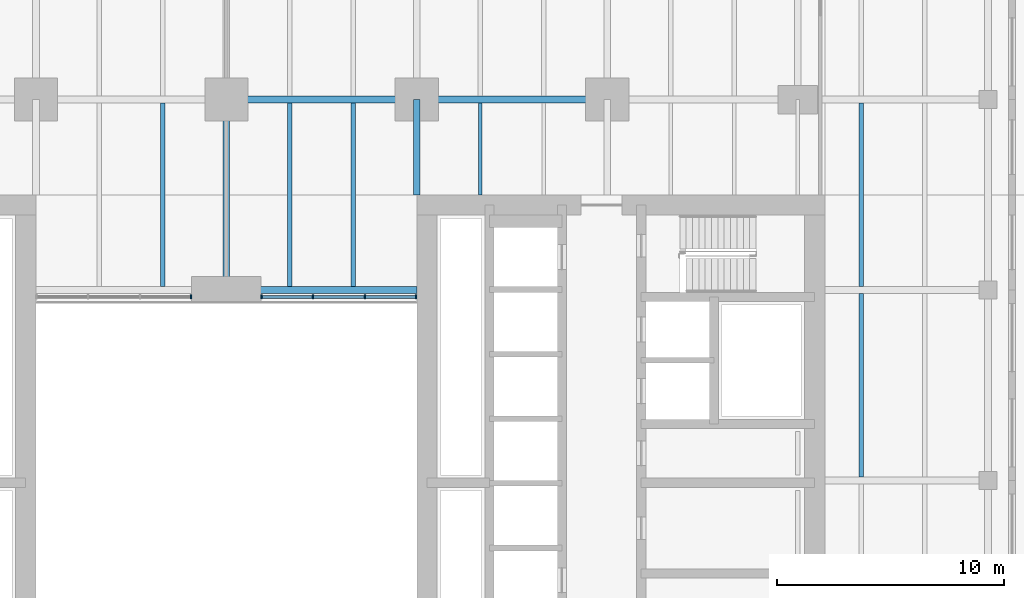
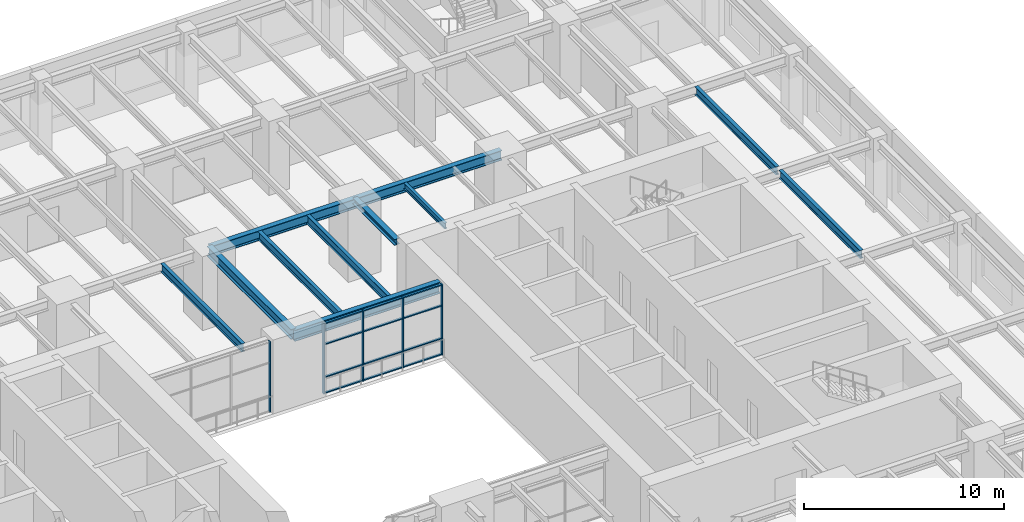
# One storey, part 10 of 30: 17 members, 11 beams, 2 elements without a shape of their own.
"""IFC4 building model written with IfcOpenShell, lengths in metres."""

from ifc_helpers import new_model, si_unit, direction, frame, origin, origin_2d, place, context, subcontext, project, spatial, rectangle, i_section, extrude, material, material_profile, profile_set, type_object, element, aggregate, save


model = new_model("IFC4")

# Units and contexts
model_context = context("Model", 3, precision=1e-05, world=origin(), true_north=direction((0.0, 1.0)))
body_context = subcontext(model_context, "Body", "Model", "MODEL_VIEW")
ifc_project = project(units=[si_unit("LENGTHUNIT", "METRE"), si_unit("AREAUNIT", "SQUARE_METRE"), si_unit("VOLUMEUNIT", "CUBIC_METRE"), si_unit("PLANEANGLEUNIT", "RADIAN"), si_unit("MASSUNIT", "GRAM", prefix="KILO")], contexts=[model_context])

# Site, building, storey
site_placement = place(None, origin())
site = spatial("IfcSite", under=ifc_project, at=site_placement, CompositionType="ELEMENT")
building_placement = place(site_placement, origin())
building = spatial("IfcBuilding", under=site, at=building_placement, Name="Claustro Exchange Tower", CompositionType="ELEMENT")
storey_placement = place(building_placement, frame((0.0, 0.0, 5.39990234375)))
storey = spatial("IfcBuildingStorey", under=building, at=storey_placement, Name="L01", CompositionType="ELEMENT", Elevation=5.39990234375)

# Beams
ifc_material_1 = material(Name="Steel S355", Category="steel")
ifc_material_profile_1 = material_profile(ifc_material_1, i_section(OverallWidth=0.300048828125, OverallDepth=0.60009765625, WebThickness=0.015380859375, FlangeThickness=0.030029296875, FilletRadius=0.027099609375, at=origin_2d()), Name="HE 600 B")
ifc_profile_set_1 = profile_set([ifc_material_profile_1], Name="Steel S355")
beam_type_1 = type_object("IfcBeamType", Name="B1 HE 600 B floor girder", PredefinedType="BEAM", material=ifc_profile_set_1)
beam_1_placement = place(storey_placement, frame((25.199951171875, 33.60009765625, 4.0), z_axis=(0.0, 1.0, 0.0), x_axis=(-1.0, 0.0, 0.0)))
element("IfcBeam", 1, at=beam_1_placement, inside=storey, type_object=beam_type_1, Name="Beam B1 L02", PredefinedType="BEAM", context=body_context, shape_type="SweptSolid", body=[
    extrude(i_section(OverallWidth=0.300048828125, OverallDepth=0.60009765625, WebThickness=0.015380859375, FlangeThickness=0.030029296875, FilletRadius=0.027099609375, at=origin_2d()), origin(), (0.0, 0.0, 1.0), 8.39990234375),
])
beam_2_placement = place(storey_placement, frame((25.199951171875, 42.0, 4.0), z_axis=(1.0, 0.0, 0.0), x_axis=(0.0, 1.0, 0.0)))
element("IfcBeam", 2, at=beam_2_placement, inside=storey, type_object=beam_type_1, Name="Beam B1 L02", PredefinedType="BEAM", context=body_context, shape_type="SweptSolid", body=[
    extrude(i_section(OverallWidth=0.300048828125, OverallDepth=0.60009765625, WebThickness=0.015380859375, FlangeThickness=0.030029296875, FilletRadius=0.027099609375, at=origin_2d()), origin(), (0.0, 0.0, 1.0), 8.400146484375),
])
beam_3_placement = place(storey_placement, frame((33.60009765625, 42.0, 4.0), z_axis=(1.0, 0.0, 0.0), x_axis=(0.0, 1.0, 0.0)))
element("IfcBeam", 3, at=beam_3_placement, inside=storey, type_object=beam_type_1, Name="Beam B1 L02", PredefinedType="BEAM", context=body_context, shape_type="SweptSolid", body=[
    extrude(i_section(OverallWidth=0.300048828125, OverallDepth=0.60009765625, WebThickness=0.015380859375, FlangeThickness=0.030029296875, FilletRadius=0.027099609375, at=origin_2d()), origin(), (0.0, 0.0, 1.0), 8.39990234375),
])
ifc_material_2 = material(Name="Steel S355", Category="steel")
ifc_material_profile_2 = material_profile(ifc_material_2, i_section(OverallWidth=0.300048828125, OverallDepth=0.68994140625, WebThickness=0.014404296875, FlangeThickness=0.027099609375, FilletRadius=0.027099609375, at=origin_2d()), Name="HE 700 A")
ifc_profile_set_2 = profile_set([ifc_material_profile_2], Name="Steel S355")
beam_type_2 = type_object("IfcBeamType", Name="B13 HE 700 A light well edge girder", PredefinedType="BEAM", material=ifc_profile_set_2)
beam_4_placement = place(storey_placement, frame((25.199951171875, 33.60009765625, 3.955078125), z_axis=(1.0, 0.0, 0.0), x_axis=(0.0, 1.0, 0.0)))
element("IfcBeam", 4, at=beam_4_placement, inside=storey, type_object=beam_type_2, Name="Beam B13 L02", PredefinedType="BEAM", context=body_context, shape_type="SweptSolid", body=[
    extrude(i_section(OverallWidth=0.300048828125, OverallDepth=0.68994140625, WebThickness=0.014404296875, FlangeThickness=0.027099609375, FilletRadius=0.027099609375, at=origin_2d()), origin(), (0.0, 0.0, 1.0), 8.400146484375),
])
ifc_material_3 = material(Name="Steel S355", Category="steel")
ifc_material_profile_3 = material_profile(ifc_material_3, i_section(OverallWidth=0.169921875, OverallDepth=0.360107421875, WebThickness=0.008056640625, FlangeThickness=0.0126953125, FilletRadius=0.01806640625, at=origin_2d()), Name="IPE 360")
ifc_profile_set_3 = profile_set([ifc_material_profile_3], Name="Steel S355")
beam_type_3 = type_object("IfcBeamType", Name="B16 IPE 360 short-span beam", PredefinedType="BEAM", material=ifc_profile_set_3)
beam_5_placement = place(storey_placement, frame((36.39990234375, 37.7900390625, 4.1201171875), z_axis=(0.0, 1.0, 0.0), x_axis=(-1.0, 0.0, 0.0)))
element("IfcBeam", 5, at=beam_5_placement, inside=storey, type_object=beam_type_3, Name="Beam B16 L02", PredefinedType="BEAM", context=body_context, shape_type="SweptSolid", body=[
    extrude(i_section(OverallWidth=0.169921875, OverallDepth=0.360107421875, WebThickness=0.008056640625, FlangeThickness=0.0126953125, FilletRadius=0.01806640625, at=origin_2d()), origin(), (0.0, 0.0, 1.0), 4.06005859375),
])
ifc_material_4 = material(Name="Steel S355", Category="steel")
ifc_material_profile_4 = material_profile(ifc_material_4, i_section(OverallWidth=0.199951171875, OverallDepth=0.5, WebThickness=0.01025390625, FlangeThickness=0.01611328125, FilletRadius=0.02099609375, at=origin_2d()), Name="IPE 500")
ifc_profile_set_4 = profile_set([ifc_material_profile_4], Name="Steel S355")
beam_type_4 = type_object("IfcBeamType", Name="B2 IPE 500 secondary beam", PredefinedType="BEAM", material=ifc_profile_set_4)
for number, where, z_axis, x_axis, name in (
    (6, (22.39990234375, 33.75, 4.050048828125), (0.0, 1.0, 0.0), (-1.0, 0.0, 0.0), "Beam B2 L02"),
    (7, (28.0, 33.75, 4.050048828125), (0.0, 1.0, 0.0), (-1.0, 0.0, 0.0), "Beam B2 L02"),
    (8, (30.800048828125, 33.75, 4.050048828125), (0.0, 1.0, 0.0), (-1.0, 0.0, 0.0), "Beam B2 L02"),
):
    element("IfcBeam", number, at=place(storey_placement, frame(where, z_axis=z_axis, x_axis=x_axis)), inside=storey, type_object=beam_type_4, Name=name, PredefinedType="BEAM", context=body_context, shape_type="SweptSolid", body=[
        extrude(i_section(OverallWidth=0.199951171875, OverallDepth=0.5, WebThickness=0.01025390625, FlangeThickness=0.01611328125, FilletRadius=0.02099609375, at=origin_2d()), origin(), (0.0, 0.0, 1.0), 8.10009765625),
    ])
beam_6_placement = place(storey_placement, frame((53.199951171875, 25.35009765625, 4.050048828125), z_axis=(0.0, 1.0, 0.0), x_axis=(-1.0, 0.0, 0.0)))
element("IfcBeam", 9, at=beam_6_placement, inside=storey, type_object=beam_type_4, Name="Beam B2 L02", PredefinedType="BEAM", context=body_context, shape_type="SweptSolid", body=[
    extrude(i_section(OverallWidth=0.199951171875, OverallDepth=0.5, WebThickness=0.01025390625, FlangeThickness=0.01611328125, FilletRadius=0.02099609375, at=origin_2d()), origin(), (0.0, 0.0, 1.0), 8.099853515625),
])
beam_7_placement = place(storey_placement, frame((53.199951171875, 33.75, 4.050048828125), z_axis=(0.0, 1.0, 0.0), x_axis=(-1.0, 0.0, 0.0)))
element("IfcBeam", 10, at=beam_7_placement, inside=storey, type_object=beam_type_4, Name="Beam B2 L02", PredefinedType="BEAM", context=body_context, shape_type="SweptSolid", body=[
    extrude(i_section(OverallWidth=0.199951171875, OverallDepth=0.5, WebThickness=0.01025390625, FlangeThickness=0.01611328125, FilletRadius=0.02099609375, at=origin_2d()), origin(), (0.0, 0.0, 1.0), 8.10009765625),
])
ifc_material_5 = material(Name="Steel S355", Category="steel")
ifc_material_profile_5 = material_profile(ifc_material_5, i_section(OverallWidth=0.300048828125, OverallDepth=0.360107421875, WebThickness=0.012451171875, FlangeThickness=0.0224609375, FilletRadius=0.027099609375, at=origin_2d()), Name="HE 360 B")
ifc_profile_set_5 = profile_set([ifc_material_profile_5], Name="Steel S355")
beam_type_5 = type_object("IfcBeamType", Name="B29 HE 360 B column to core link beam", PredefinedType="BEAM", material=ifc_profile_set_5)
beam_8_placement = place(storey_placement, frame((33.60009765625, 37.800048828125, 4.1201171875), z_axis=(0.0, 1.0, 0.0), x_axis=(-1.0, 0.0, 0.0)))
element("IfcBeam", 11, at=beam_8_placement, inside=storey, type_object=beam_type_5, Name="Beam B29 L02", PredefinedType="BEAM", context=body_context, shape_type="SweptSolid", body=[
    extrude(i_section(OverallWidth=0.300048828125, OverallDepth=0.360107421875, WebThickness=0.012451171875, FlangeThickness=0.0224609375, FilletRadius=0.027099609375, at=origin_2d()), origin(), (0.0, 0.0, 1.0), 4.199951171875),
])

# Curtain wall, member
ifc_material_6 = material(Name="Aluminium frame, clear double glazing", Category="aluminium")
curtain_wall_type = type_object("IfcCurtainWallType", Name="CW3 light well curtain wall", PredefinedType="USERDEFINED", material=ifc_material_6)
curtain_wall_1_placement = place(storey_placement, origin())
curtain_wall_1 = element("IfcCurtainWall", 12, at=curtain_wall_1_placement, inside=storey, type_object=curtain_wall_type, Name="Curtain wall CW3 L01", ObjectType="STICK CURTAIN WALL", PredefinedType="USERDEFINED")
ifc_material_7 = material(Name="Aluminium mullion", Category="aluminium")
ifc_material_profile_6 = material_profile(ifc_material_7, rectangle(XDim=0.179931640625, YDim=0.06494140625, at=origin_2d()), Name="CW3-M 65x180")
ifc_profile_set_6 = profile_set([ifc_material_profile_6], Name="Aluminium mullion")
member_type_1 = type_object("IfcMemberType", Name="CW3-M 65 x 180 mullion", PredefinedType="MULLION", material=ifc_profile_set_6)
member_1_placement = place(storey_placement, frame((23.642578125, 33.300048828125, 0.0), z_axis=(0.0, 0.0, 1.0), x_axis=(0.0, 1.0, 0.0)))
member_1 = element("IfcMember", 13, at=member_1_placement, type_object=member_type_1, Name="CW3 mullion 4", PredefinedType="MULLION", context=body_context, shape_type="SweptSolid", body=[
    extrude(rectangle(XDim=0.179931640625, YDim=0.06494140625, at=origin_2d()), origin(), (0.0, 0.0, 1.0), 4.300048828125),
])
aggregate(curtain_wall_1, [member_1])

# Curtain wall, members
curtain_wall_2_placement = place(storey_placement, origin())
curtain_wall_2 = element("IfcCurtainWall", 14, at=curtain_wall_2_placement, inside=storey, type_object=curtain_wall_type, Name="Curtain wall CW3 L01", ObjectType="STICK CURTAIN WALL", PredefinedType="USERDEFINED")
member_2_placement = place(storey_placement, frame((26.757568359375, 33.300048828125, 0.0), z_axis=(0.0, 0.0, 1.0), x_axis=(0.0, 1.0, 0.0)))
member_2 = element("IfcMember", 15, at=member_2_placement, type_object=member_type_1, Name="CW3 mullion 1", PredefinedType="MULLION", context=body_context, shape_type="SweptSolid", body=[
    extrude(rectangle(XDim=0.179931640625, YDim=0.06494140625, at=origin_2d()), origin(), (0.0, 0.0, 1.0), 4.300048828125),
])
member_3_placement = place(storey_placement, frame((29.0166015625, 33.300048828125, 0.0), z_axis=(0.0, 0.0, 1.0), x_axis=(0.0, 1.0, 0.0)))
member_3 = element("IfcMember", 16, at=member_3_placement, type_object=member_type_1, Name="CW3 mullion 2", PredefinedType="MULLION", context=body_context, shape_type="SweptSolid", body=[
    extrude(rectangle(XDim=0.179931640625, YDim=0.06494140625, at=origin_2d()), origin(), (0.0, 0.0, 1.0), 4.300048828125),
])
member_4_placement = place(storey_placement, frame((31.308349609375, 33.300048828125, 0.0), z_axis=(0.0, 0.0, 1.0), x_axis=(0.0, 1.0, 0.0)))
member_4 = element("IfcMember", 17, at=member_4_placement, type_object=member_type_1, Name="CW3 mullion 3", PredefinedType="MULLION", context=body_context, shape_type="SweptSolid", body=[
    extrude(rectangle(XDim=0.179931640625, YDim=0.06494140625, at=origin_2d()), origin(), (0.0, 0.0, 1.0), 4.300048828125),
])
member_5_placement = place(storey_placement, frame((33.5673828125, 33.300048828125, 0.0), z_axis=(0.0, 0.0, 1.0), x_axis=(0.0, 1.0, 0.0)))
member_5 = element("IfcMember", 18, at=member_5_placement, type_object=member_type_1, Name="CW3 mullion 4", PredefinedType="MULLION", context=body_context, shape_type="SweptSolid", body=[
    extrude(rectangle(XDim=0.179931640625, YDim=0.06494140625, at=origin_2d()), origin(), (0.0, 0.0, 1.0), 4.300048828125),
])
ifc_material_8 = material(Name="Aluminium transom", Category="aluminium")
ifc_material_profile_7 = material_profile(ifc_material_8, rectangle(XDim=0.1298828125, YDim=0.06494140625, at=origin_2d()), Name="CW3-T 65x130")
ifc_profile_set_7 = profile_set([ifc_material_profile_7], Name="Aluminium transom")
member_type_2 = type_object("IfcMemberType", Name="CW3-T 65 x 130 transom", PredefinedType="USERDEFINED", material=ifc_profile_set_7)
member_6_placement = place(storey_placement, frame((26.7900390625, 33.300048828125, 0.03271484375), z_axis=(1.0, 0.0, 0.0), x_axis=(0.0, 1.0, 0.0)))
member_6 = element("IfcMember", 19, at=member_6_placement, type_object=member_type_2, Name="CW3 transom 1.1", ObjectType="TRANSOM", PredefinedType="USERDEFINED", context=body_context, shape_type="SweptSolid", body=[
    extrude(rectangle(XDim=0.1298828125, YDim=0.06494140625, at=origin_2d()), origin(), (0.0, 0.0, 1.0), 2.194091796875),
])
member_7_placement = place(storey_placement, frame((26.7900390625, 33.300048828125, 1.0), z_axis=(1.0, 0.0, 0.0), x_axis=(0.0, 1.0, 0.0)))
member_7 = element("IfcMember", 20, at=member_7_placement, type_object=member_type_2, Name="CW3 transom 1.2", ObjectType="TRANSOM", PredefinedType="USERDEFINED", context=body_context, shape_type="SweptSolid", body=[
    extrude(rectangle(XDim=0.1298828125, YDim=0.06494140625, at=origin_2d()), origin(), (0.0, 0.0, 1.0), 2.194091796875),
])
member_8_placement = place(storey_placement, frame((26.7900390625, 33.300048828125, 3.0), z_axis=(1.0, 0.0, 0.0), x_axis=(0.0, 1.0, 0.0)))
member_8 = element("IfcMember", 21, at=member_8_placement, type_object=member_type_2, Name="CW3 transom 1.3", ObjectType="TRANSOM", PredefinedType="USERDEFINED", context=body_context, shape_type="SweptSolid", body=[
    extrude(rectangle(XDim=0.1298828125, YDim=0.06494140625, at=origin_2d()), origin(), (0.0, 0.0, 1.0), 2.194091796875),
])
member_9_placement = place(storey_placement, frame((26.7900390625, 33.300048828125, 4.267578125), z_axis=(1.0, 0.0, 0.0), x_axis=(0.0, 1.0, 0.0)))
member_9 = element("IfcMember", 22, at=member_9_placement, type_object=member_type_2, Name="CW3 transom 1.4", ObjectType="TRANSOM", PredefinedType="USERDEFINED", context=body_context, shape_type="SweptSolid", body=[
    extrude(rectangle(XDim=0.1298828125, YDim=0.06494140625, at=origin_2d()), origin(), (0.0, 0.0, 1.0), 2.194091796875),
])
member_10_placement = place(storey_placement, frame((29.049072265625, 33.300048828125, 0.03271484375), z_axis=(1.0, 0.0, 0.0), x_axis=(0.0, 1.0, 0.0)))
member_10 = element("IfcMember", 23, at=member_10_placement, type_object=member_type_2, Name="CW3 transom 2.1", ObjectType="TRANSOM", PredefinedType="USERDEFINED", context=body_context, shape_type="SweptSolid", body=[
    extrude(rectangle(XDim=0.1298828125, YDim=0.06494140625, at=origin_2d()), origin(), (0.0, 0.0, 1.0), 2.226806640625),
])
member_11_placement = place(storey_placement, frame((29.049072265625, 33.300048828125, 1.0), z_axis=(1.0, 0.0, 0.0), x_axis=(0.0, 1.0, 0.0)))
member_11 = element("IfcMember", 24, at=member_11_placement, type_object=member_type_2, Name="CW3 transom 2.2", ObjectType="TRANSOM", PredefinedType="USERDEFINED", context=body_context, shape_type="SweptSolid", body=[
    extrude(rectangle(XDim=0.1298828125, YDim=0.06494140625, at=origin_2d()), origin(), (0.0, 0.0, 1.0), 2.226806640625),
])
member_12_placement = place(storey_placement, frame((29.049072265625, 33.300048828125, 3.0), z_axis=(1.0, 0.0, 0.0), x_axis=(0.0, 1.0, 0.0)))
member_12 = element("IfcMember", 25, at=member_12_placement, type_object=member_type_2, Name="CW3 transom 2.3", ObjectType="TRANSOM", PredefinedType="USERDEFINED", context=body_context, shape_type="SweptSolid", body=[
    extrude(rectangle(XDim=0.1298828125, YDim=0.06494140625, at=origin_2d()), origin(), (0.0, 0.0, 1.0), 2.226806640625),
])
member_13_placement = place(storey_placement, frame((29.049072265625, 33.300048828125, 4.267578125), z_axis=(1.0, 0.0, 0.0), x_axis=(0.0, 1.0, 0.0)))
member_13 = element("IfcMember", 26, at=member_13_placement, type_object=member_type_2, Name="CW3 transom 2.4", ObjectType="TRANSOM", PredefinedType="USERDEFINED", context=body_context, shape_type="SweptSolid", body=[
    extrude(rectangle(XDim=0.1298828125, YDim=0.06494140625, at=origin_2d()), origin(), (0.0, 0.0, 1.0), 2.226806640625),
])
member_14_placement = place(storey_placement, frame((31.3408203125, 33.300048828125, 0.03271484375), z_axis=(1.0, 0.0, 0.0), x_axis=(0.0, 1.0, 0.0)))
member_14 = element("IfcMember", 27, at=member_14_placement, type_object=member_type_2, Name="CW3 transom 3.1", ObjectType="TRANSOM", PredefinedType="USERDEFINED", context=body_context, shape_type="SweptSolid", body=[
    extrude(rectangle(XDim=0.1298828125, YDim=0.06494140625, at=origin_2d()), origin(), (0.0, 0.0, 1.0), 2.194091796875),
])
member_15_placement = place(storey_placement, frame((31.3408203125, 33.300048828125, 1.0), z_axis=(1.0, 0.0, 0.0), x_axis=(0.0, 1.0, 0.0)))
member_15 = element("IfcMember", 28, at=member_15_placement, type_object=member_type_2, Name="CW3 transom 3.2", ObjectType="TRANSOM", PredefinedType="USERDEFINED", context=body_context, shape_type="SweptSolid", body=[
    extrude(rectangle(XDim=0.1298828125, YDim=0.06494140625, at=origin_2d()), origin(), (0.0, 0.0, 1.0), 2.194091796875),
])
member_16_placement = place(storey_placement, frame((31.3408203125, 33.300048828125, 3.0), z_axis=(1.0, 0.0, 0.0), x_axis=(0.0, 1.0, 0.0)))
member_16 = element("IfcMember", 29, at=member_16_placement, type_object=member_type_2, Name="CW3 transom 3.3", ObjectType="TRANSOM", PredefinedType="USERDEFINED", context=body_context, shape_type="SweptSolid", body=[
    extrude(rectangle(XDim=0.1298828125, YDim=0.06494140625, at=origin_2d()), origin(), (0.0, 0.0, 1.0), 2.194091796875),
])
member_17_placement = place(storey_placement, frame((31.3408203125, 33.300048828125, 4.267578125), z_axis=(1.0, 0.0, 0.0), x_axis=(0.0, 1.0, 0.0)))
member_17 = element("IfcMember", 30, at=member_17_placement, type_object=member_type_2, Name="CW3 transom 3.4", ObjectType="TRANSOM", PredefinedType="USERDEFINED", context=body_context, shape_type="SweptSolid", body=[
    extrude(rectangle(XDim=0.1298828125, YDim=0.06494140625, at=origin_2d()), origin(), (0.0, 0.0, 1.0), 2.194091796875),
])
aggregate(curtain_wall_2, [member_2, member_3, member_4, member_5, member_6, member_7, member_8, member_9, member_10, member_11, member_12, member_13, member_14, member_15, member_16, member_17])

save(model, "model.ifc")
